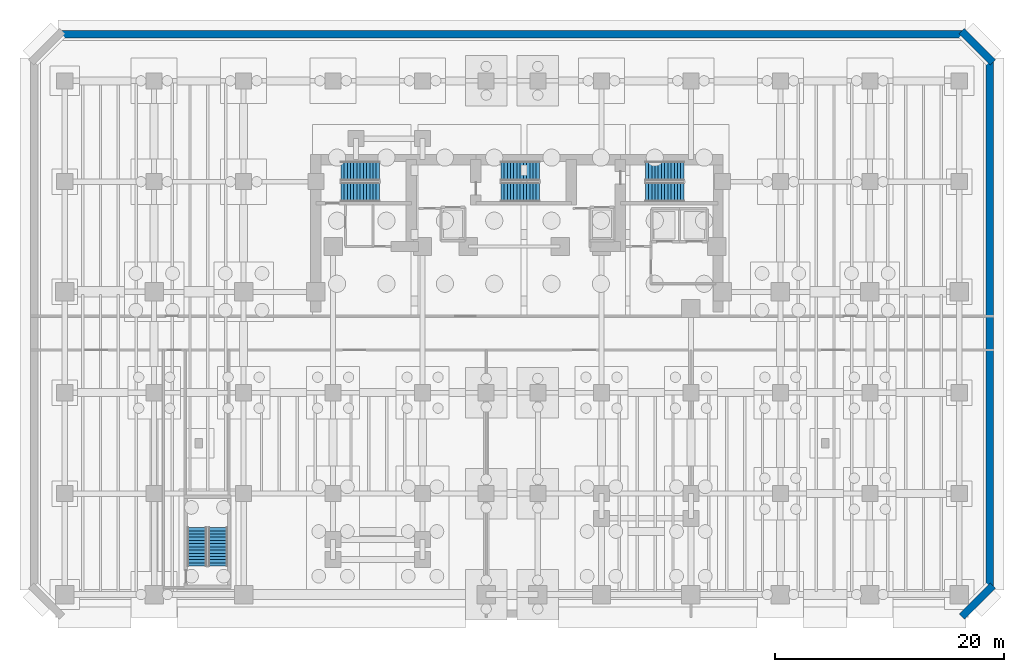
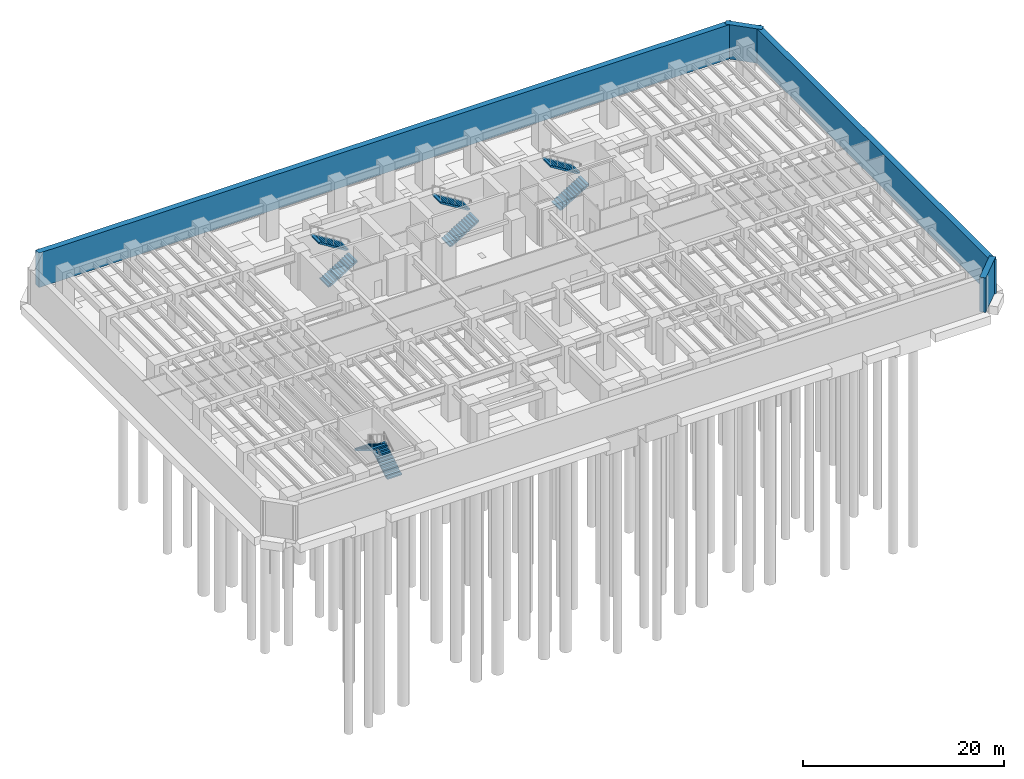
# One storey, part 10 of 13: 8 stair flights, 4 walls, 4 elements without a shape of their own.
"""IFC4 building model written with IfcOpenShell, lengths in metres."""

from ifc_helpers import new_model, si_unit, direction, frame, frame_2d, origin, place, context, subcontext, project, spatial, polyline, rectangle, outline, extrude, material, layer, layer_set, type_object, element, aggregate, save


model = new_model("IFC4")

# Units and contexts
model_context = context("Model", 3, precision=1e-05, world=origin(), true_north=direction((0.0, 1.0)))
body_context = subcontext(model_context, "Body", "Model", "MODEL_VIEW")
ifc_project = project(units=[si_unit("LENGTHUNIT", "METRE"), si_unit("AREAUNIT", "SQUARE_METRE"), si_unit("VOLUMEUNIT", "CUBIC_METRE"), si_unit("PLANEANGLEUNIT", "RADIAN"), si_unit("MASSUNIT", "GRAM", prefix="KILO")], contexts=[model_context])

# Site, building, storey
site_placement = place(None, origin())
site = spatial("IfcSite", under=ifc_project, at=site_placement, CompositionType="ELEMENT")
building_placement = place(site_placement, origin())
building = spatial("IfcBuilding", under=site, at=building_placement, Name="Kestravale Grand Hotel", CompositionType="ELEMENT")
storey_placement = place(building_placement, frame((0.0, 0.0, -9.0)))
storey = spatial("IfcBuildingStorey", under=building, at=storey_placement, Name="B2", CompositionType="ELEMENT", Elevation=-9.0)

# Walls
ifc_material_1 = material(Name="Concrete f'c 45 MPa", Category="concrete")
ifc_layer = layer(ifc_material_1, 0.64990234375)
ifc_layer_set = layer_set([ifc_layer], Name="EW-RET-650")
wall_type = type_object("IfcWallType", Name="EW-RET-650", PredefinedType="USERDEFINED", material=ifc_layer_set)
wall_1_placement = place(storey_placement, frame((78.214599609375, 0.47412109375, 0.0), z_axis=(0.0, 0.0, 1.0), x_axis=(0.707106781187, 0.707106781187, 0.0)))
element("IfcWall", 1, at=wall_1_placement, inside=storey, type_object=wall_type, Name="B2 perimeter retaining wall 2", ObjectType="RETAINING WALL", PredefinedType="USERDEFINED", context=body_context, shape_type="SweptSolid", body=[
    extrude(rectangle(XDim=3.834228515625, YDim=0.64990234375, at=frame_2d((1.9169921875, 0.0))), origin(), (0.0, 0.0, 1.0), 4.179931640625),
])
wall_2_placement = place(storey_placement, frame((80.675048828125, 2.580078125, 0.0), z_axis=(0.0, 0.0, 1.0), x_axis=(0.0, 1.0, 0.0)))
element("IfcWall", 2, at=wall_2_placement, inside=storey, type_object=wall_type, Name="B2 perimeter retaining wall 3", ObjectType="RETAINING WALL", PredefinedType="USERDEFINED", context=body_context, shape_type="SweptSolid", body=[
    extrude(rectangle(XDim=46.83984375, YDim=0.64990234375, at=frame_2d((23.419921875, 0.0))), origin(), (0.0, 0.0, 1.0), 4.179931640625),
])
wall_3_placement = place(storey_placement, frame((80.92578125, 48.814697265625, 0.0), z_axis=(0.0, 0.0, 1.0), x_axis=(-0.707106781187, 0.707106781187, 0.0)))
element("IfcWall", 3, at=wall_3_placement, inside=storey, type_object=wall_type, Name="B2 perimeter retaining wall 4", ObjectType="RETAINING WALL", PredefinedType="USERDEFINED", context=body_context, shape_type="SweptSolid", body=[
    extrude(rectangle(XDim=3.834228515625, YDim=0.64990234375, at=frame_2d((1.9169921875, 0.0))), origin(), (0.0, 0.0, 1.0), 4.179931640625),
])
wall_4_placement = place(storey_placement, frame((78.820068359375, 51.27490234375, 0.0), z_axis=(0.0, 0.0, 1.0), x_axis=(-1.0, 0.0, 0.0)))
element("IfcWall", 4, at=wall_4_placement, inside=storey, type_object=wall_type, Name="B2 perimeter retaining wall 5", ObjectType="RETAINING WALL", PredefinedType="USERDEFINED", context=body_context, shape_type="SweptSolid", body=[
    extrude(rectangle(XDim=79.64013671875, YDim=0.64990234375, at=frame_2d((39.820068359375, 0.0))), origin(), (0.0, 0.0, 1.0), 4.179931640625),
])

# Stair, stair flights
ifc_material_2 = material(Name="Concrete f'c 45 MPa", Category="concrete")
stair_type = type_object("IfcStairType", Name="ST-CORE-450", PredefinedType="HALF_TURN_STAIR", material=ifc_material_2)
stair_1_placement = place(storey_placement, origin())
stair_1 = element("IfcStair", 5, at=stair_1_placement, inside=storey, type_object=stair_type, Name="B2 ST-1", PredefinedType="HALF_TURN_STAIR")
ifc_material_3 = material(Name="Concrete f'c 45 MPa", Category="concrete")
stair_flight_type = type_object("IfcStairFlightType", Name="STF-CORE-450", PredefinedType="STRAIGHT", material=ifc_material_3)
stair_flight_1_placement = place(storey_placement, frame((24.080078125, 37.489990234375, 0.0), z_axis=(0.0, 0.0, 1.0), x_axis=(1.0, 0.0, 0.0)))
stair_flight_1 = element("IfcStairFlight", 6, at=stair_flight_1_placement, type_object=stair_flight_type, Name="ST-1 flight 1", NumberOfRisers=13, NumberOfTreads=12, PredefinedType="STRAIGHT", RiserHeight=0.173076923, TreadLength=0.28, context=body_context, shape_type="SweptSolid", body=[
    extrude(outline(polyline([(0.0, 0.0), (0.0, 0.173095703125), (0.280029296875, 0.173095703125), (0.280029296875, 0.34619140625), (0.56005859375, 0.34619140625), (0.56005859375, 0.519287109375), (0.840087890625, 0.519287109375), (0.840087890625, 0.6923828125), (1.1201171875, 0.6923828125), (1.1201171875, 0.865478515625), (1.39990234375, 0.865478515625), (1.39990234375, 1.03857421875), (1.679931640625, 1.03857421875), (1.679931640625, 1.21142578125), (1.9599609375, 1.21142578125), (1.9599609375, 1.384521484375), (2.239990234375, 1.384521484375), (2.239990234375, 1.5576171875), (2.52001953125, 1.5576171875), (2.52001953125, 1.730712890625), (2.800048828125, 1.730712890625), (2.800048828125, 1.90380859375), (3.080078125, 1.90380859375), (3.080078125, 2.076904296875), (3.360107421875, 2.076904296875), (3.360107421875, 2.25), (3.360107421875, 1.900634765625), (0.28515625, 0.0), (0.0, 0.0)])), frame((0.0, 0.83984375, 0.0), z_axis=(0.0, -1.0, 0.0), x_axis=(1.0, 0.0, 0.0)), (0.0, 0.0, 1.0), 1.679931640625),
])
stair_flight_2_placement = place(storey_placement, frame((27.43994140625, 39.320068359375, 2.25), z_axis=(0.0, 0.0, 1.0), x_axis=(-1.0, 0.0, 0.0)))
stair_flight_2 = element("IfcStairFlight", 7, at=stair_flight_2_placement, type_object=stair_flight_type, Name="ST-1 flight 2", NumberOfRisers=13, NumberOfTreads=12, PredefinedType="STRAIGHT", RiserHeight=0.173076923, TreadLength=0.28, context=body_context, shape_type="SweptSolid", body=[
    extrude(outline(polyline([(0.0, 0.0), (0.0, 0.173095703125), (0.280029296875, 0.173095703125), (0.280029296875, 0.34619140625), (0.56005859375, 0.34619140625), (0.56005859375, 0.519287109375), (0.840087890625, 0.519287109375), (0.840087890625, 0.6923828125), (1.1201171875, 0.6923828125), (1.1201171875, 0.865478515625), (1.39990234375, 0.865478515625), (1.39990234375, 1.03857421875), (1.679931640625, 1.03857421875), (1.679931640625, 1.21142578125), (1.9599609375, 1.21142578125), (1.9599609375, 1.384521484375), (2.239990234375, 1.384521484375), (2.239990234375, 1.5576171875), (2.52001953125, 1.5576171875), (2.52001953125, 1.730712890625), (2.800048828125, 1.730712890625), (2.800048828125, 1.90380859375), (3.080078125, 1.90380859375), (3.080078125, 2.076904296875), (3.360107421875, 2.076904296875), (3.360107421875, 2.25), (3.360107421875, 1.900634765625), (0.28515625, 0.0), (0.0, 0.0)])), frame((0.0, 0.83984375, 0.0), z_axis=(0.0, -1.0, 0.0), x_axis=(1.0, 0.0, 0.0)), (0.0, 0.0, 1.0), 1.679931640625),
])
aggregate(stair_1, [stair_flight_1, stair_flight_2])

stair_2_placement = place(storey_placement, origin())
stair_2 = element("IfcStair", 8, at=stair_2_placement, inside=storey, type_object=stair_type, Name="B2 ST-2", PredefinedType="HALF_TURN_STAIR")
stair_flight_3_placement = place(storey_placement, frame((38.030029296875, 37.489990234375, 0.0), z_axis=(0.0, 0.0, 1.0), x_axis=(1.0, 0.0, 0.0)))
stair_flight_3 = element("IfcStairFlight", 9, at=stair_flight_3_placement, type_object=stair_flight_type, Name="ST-2 flight 1", NumberOfRisers=13, NumberOfTreads=12, PredefinedType="STRAIGHT", RiserHeight=0.173076923, TreadLength=0.28, context=body_context, shape_type="SweptSolid", body=[
    extrude(outline(polyline([(0.0, 0.0), (0.0, 0.173095703125), (0.280029296875, 0.173095703125), (0.280029296875, 0.34619140625), (0.56005859375, 0.34619140625), (0.56005859375, 0.519287109375), (0.840087890625, 0.519287109375), (0.840087890625, 0.6923828125), (1.1201171875, 0.6923828125), (1.1201171875, 0.865478515625), (1.39990234375, 0.865478515625), (1.39990234375, 1.03857421875), (1.679931640625, 1.03857421875), (1.679931640625, 1.21142578125), (1.9599609375, 1.21142578125), (1.9599609375, 1.384521484375), (2.239990234375, 1.384521484375), (2.239990234375, 1.5576171875), (2.52001953125, 1.5576171875), (2.52001953125, 1.730712890625), (2.800048828125, 1.730712890625), (2.800048828125, 1.90380859375), (3.080078125, 1.90380859375), (3.080078125, 2.076904296875), (3.360107421875, 2.076904296875), (3.360107421875, 2.25), (3.360107421875, 1.900634765625), (0.28515625, 0.0), (0.0, 0.0)])), frame((0.0, 0.83984375, 0.0), z_axis=(0.0, -1.0, 0.0), x_axis=(1.0, 0.0, 0.0)), (0.0, 0.0, 1.0), 1.679931640625),
])
stair_flight_4_placement = place(storey_placement, frame((41.389892578125, 39.320068359375, 2.25), z_axis=(0.0, 0.0, 1.0), x_axis=(-1.0, 0.0, 0.0)))
stair_flight_4 = element("IfcStairFlight", 10, at=stair_flight_4_placement, type_object=stair_flight_type, Name="ST-2 flight 2", NumberOfRisers=13, NumberOfTreads=12, PredefinedType="STRAIGHT", RiserHeight=0.173076923, TreadLength=0.28, context=body_context, shape_type="SweptSolid", body=[
    extrude(outline(polyline([(0.0, 0.0), (0.0, 0.173095703125), (0.280029296875, 0.173095703125), (0.280029296875, 0.34619140625), (0.56005859375, 0.34619140625), (0.56005859375, 0.519287109375), (0.840087890625, 0.519287109375), (0.840087890625, 0.6923828125), (1.1201171875, 0.6923828125), (1.1201171875, 0.865478515625), (1.39990234375, 0.865478515625), (1.39990234375, 1.03857421875), (1.679931640625, 1.03857421875), (1.679931640625, 1.21142578125), (1.9599609375, 1.21142578125), (1.9599609375, 1.384521484375), (2.239990234375, 1.384521484375), (2.239990234375, 1.5576171875), (2.52001953125, 1.5576171875), (2.52001953125, 1.730712890625), (2.800048828125, 1.730712890625), (2.800048828125, 1.90380859375), (3.080078125, 1.90380859375), (3.080078125, 2.076904296875), (3.360107421875, 2.076904296875), (3.360107421875, 2.25), (3.360107421875, 1.900634765625), (0.28515625, 0.0), (0.0, 0.0)])), frame((0.0, 0.83984375, 0.0), z_axis=(0.0, -1.0, 0.0), x_axis=(1.0, 0.0, 0.0)), (0.0, 0.0, 1.0), 1.679931640625),
])
aggregate(stair_2, [stair_flight_3, stair_flight_4])

stair_3_placement = place(storey_placement, origin())
stair_3 = element("IfcStair", 11, at=stair_3_placement, inside=storey, type_object=stair_type, Name="B2 ST-3", PredefinedType="HALF_TURN_STAIR")
stair_flight_5_placement = place(storey_placement, frame((50.6298828125, 37.489990234375, 0.0), z_axis=(0.0, 0.0, 1.0), x_axis=(1.0, 0.0, 0.0)))
stair_flight_5 = element("IfcStairFlight", 12, at=stair_flight_5_placement, type_object=stair_flight_type, Name="ST-3 flight 1", NumberOfRisers=13, NumberOfTreads=12, PredefinedType="STRAIGHT", RiserHeight=0.173076923, TreadLength=0.28, context=body_context, shape_type="SweptSolid", body=[
    extrude(outline(polyline([(0.0, 0.0), (0.0, 0.173095703125), (0.280029296875, 0.173095703125), (0.280029296875, 0.34619140625), (0.56005859375, 0.34619140625), (0.56005859375, 0.519287109375), (0.840087890625, 0.519287109375), (0.840087890625, 0.6923828125), (1.1201171875, 0.6923828125), (1.1201171875, 0.865478515625), (1.39990234375, 0.865478515625), (1.39990234375, 1.03857421875), (1.679931640625, 1.03857421875), (1.679931640625, 1.21142578125), (1.9599609375, 1.21142578125), (1.9599609375, 1.384521484375), (2.239990234375, 1.384521484375), (2.239990234375, 1.5576171875), (2.52001953125, 1.5576171875), (2.52001953125, 1.730712890625), (2.800048828125, 1.730712890625), (2.800048828125, 1.90380859375), (3.080078125, 1.90380859375), (3.080078125, 2.076904296875), (3.360107421875, 2.076904296875), (3.360107421875, 2.25), (3.360107421875, 1.900634765625), (0.28515625, 0.0), (0.0, 0.0)])), frame((0.0, 0.83984375, 0.0), z_axis=(0.0, -1.0, 0.0), x_axis=(1.0, 0.0, 0.0)), (0.0, 0.0, 1.0), 1.679931640625),
])
stair_flight_6_placement = place(storey_placement, frame((53.989990234375, 39.320068359375, 2.25), z_axis=(0.0, 0.0, 1.0), x_axis=(-1.0, 0.0, 0.0)))
stair_flight_6 = element("IfcStairFlight", 13, at=stair_flight_6_placement, type_object=stair_flight_type, Name="ST-3 flight 2", NumberOfRisers=13, NumberOfTreads=12, PredefinedType="STRAIGHT", RiserHeight=0.173076923, TreadLength=0.28, context=body_context, shape_type="SweptSolid", body=[
    extrude(outline(polyline([(0.0, 0.0), (0.0, 0.173095703125), (0.280029296875, 0.173095703125), (0.280029296875, 0.34619140625), (0.56005859375, 0.34619140625), (0.56005859375, 0.519287109375), (0.840087890625, 0.519287109375), (0.840087890625, 0.6923828125), (1.1201171875, 0.6923828125), (1.1201171875, 0.865478515625), (1.39990234375, 0.865478515625), (1.39990234375, 1.03857421875), (1.679931640625, 1.03857421875), (1.679931640625, 1.21142578125), (1.9599609375, 1.21142578125), (1.9599609375, 1.384521484375), (2.239990234375, 1.384521484375), (2.239990234375, 1.5576171875), (2.52001953125, 1.5576171875), (2.52001953125, 1.730712890625), (2.800048828125, 1.730712890625), (2.800048828125, 1.90380859375), (3.080078125, 1.90380859375), (3.080078125, 2.076904296875), (3.360107421875, 2.076904296875), (3.360107421875, 2.25), (3.360107421875, 1.900634765625), (0.28515625, 0.0), (0.0, 0.0)])), frame((0.0, 0.83984375, 0.0), z_axis=(0.0, -1.0, 0.0), x_axis=(1.0, 0.0, 0.0)), (0.0, 0.0, 1.0), 1.679931640625),
])
aggregate(stair_3, [stair_flight_5, stair_flight_6])

stair_4_placement = place(storey_placement, origin())
stair_4 = element("IfcStair", 14, at=stair_4_placement, inside=storey, type_object=stair_type, Name="B2 ST-4", PredefinedType="HALF_TURN_STAIR")
stair_flight_7_placement = place(storey_placement, frame((13.360107421875, 4.8798828125, 0.0), z_axis=(0.0, 0.0, 1.0), x_axis=(0.0, 1.0, 0.0)))
stair_flight_7 = element("IfcStairFlight", 15, at=stair_flight_7_placement, type_object=stair_flight_type, Name="ST-4 flight 1", NumberOfRisers=13, NumberOfTreads=12, PredefinedType="STRAIGHT", RiserHeight=0.173076923, TreadLength=0.28, context=body_context, shape_type="SweptSolid", body=[
    extrude(outline(polyline([(0.0, 0.0), (0.0, 0.173095703125), (0.280029296875, 0.173095703125), (0.280029296875, 0.34619140625), (0.56005859375, 0.34619140625), (0.56005859375, 0.519287109375), (0.840087890625, 0.519287109375), (0.840087890625, 0.6923828125), (1.1201171875, 0.6923828125), (1.1201171875, 0.865478515625), (1.39990234375, 0.865478515625), (1.39990234375, 1.03857421875), (1.679931640625, 1.03857421875), (1.679931640625, 1.21142578125), (1.9599609375, 1.21142578125), (1.9599609375, 1.384521484375), (2.239990234375, 1.384521484375), (2.239990234375, 1.5576171875), (2.52001953125, 1.5576171875), (2.52001953125, 1.730712890625), (2.800048828125, 1.730712890625), (2.800048828125, 1.90380859375), (3.080078125, 1.90380859375), (3.080078125, 2.076904296875), (3.360107421875, 2.076904296875), (3.360107421875, 2.25), (3.360107421875, 1.900634765625), (0.28515625, 0.0), (0.0, 0.0)])), frame((0.0, 0.83984375, 0.0), z_axis=(0.0, -1.0, 0.0), x_axis=(1.0, 0.0, 0.0)), (0.0, 0.0, 1.0), 1.679931640625),
])
stair_flight_8_placement = place(storey_placement, frame((11.530029296875, 8.239990234375, 2.25), z_axis=(0.0, 0.0, 1.0), x_axis=(0.0, -1.0, 0.0)))
stair_flight_8 = element("IfcStairFlight", 16, at=stair_flight_8_placement, type_object=stair_flight_type, Name="ST-4 flight 2", NumberOfRisers=13, NumberOfTreads=12, PredefinedType="STRAIGHT", RiserHeight=0.173076923, TreadLength=0.28, context=body_context, shape_type="SweptSolid", body=[
    extrude(outline(polyline([(0.0, 0.0), (0.0, 0.173095703125), (0.280029296875, 0.173095703125), (0.280029296875, 0.34619140625), (0.56005859375, 0.34619140625), (0.56005859375, 0.519287109375), (0.840087890625, 0.519287109375), (0.840087890625, 0.6923828125), (1.1201171875, 0.6923828125), (1.1201171875, 0.865478515625), (1.39990234375, 0.865478515625), (1.39990234375, 1.03857421875), (1.679931640625, 1.03857421875), (1.679931640625, 1.21142578125), (1.9599609375, 1.21142578125), (1.9599609375, 1.384521484375), (2.239990234375, 1.384521484375), (2.239990234375, 1.5576171875), (2.52001953125, 1.5576171875), (2.52001953125, 1.730712890625), (2.800048828125, 1.730712890625), (2.800048828125, 1.90380859375), (3.080078125, 1.90380859375), (3.080078125, 2.076904296875), (3.360107421875, 2.076904296875), (3.360107421875, 2.25), (3.360107421875, 1.900634765625), (0.28515625, 0.0), (0.0, 0.0)])), frame((0.0, 0.83984375, 0.0), z_axis=(0.0, -1.0, 0.0), x_axis=(1.0, 0.0, 0.0)), (0.0, 0.0, 1.0), 1.679931640625),
])
aggregate(stair_4, [stair_flight_7, stair_flight_8])

save(model, "model.ifc")
